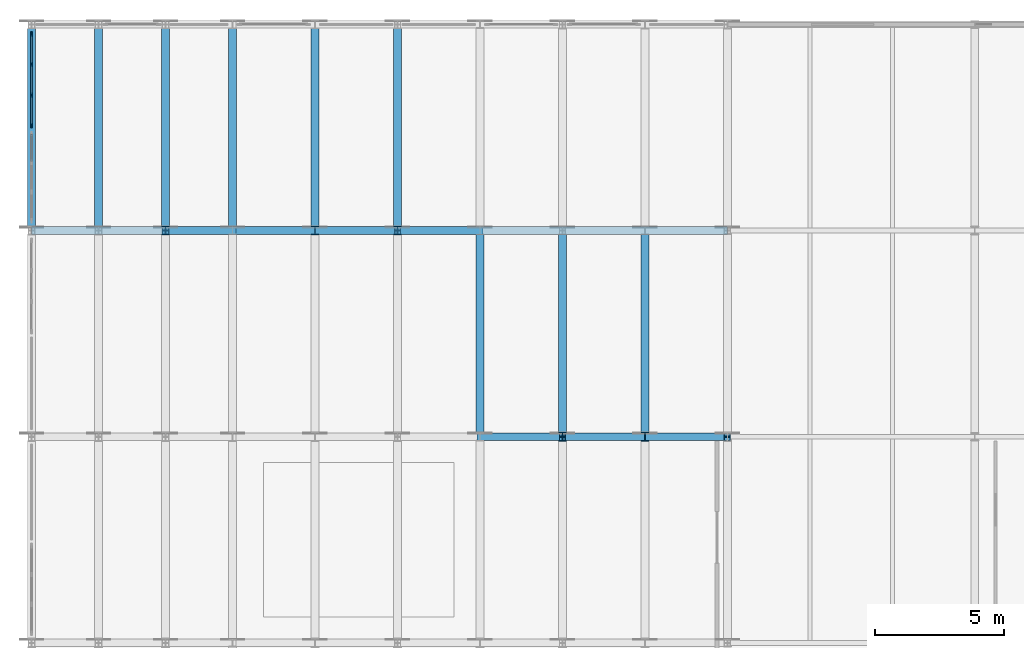
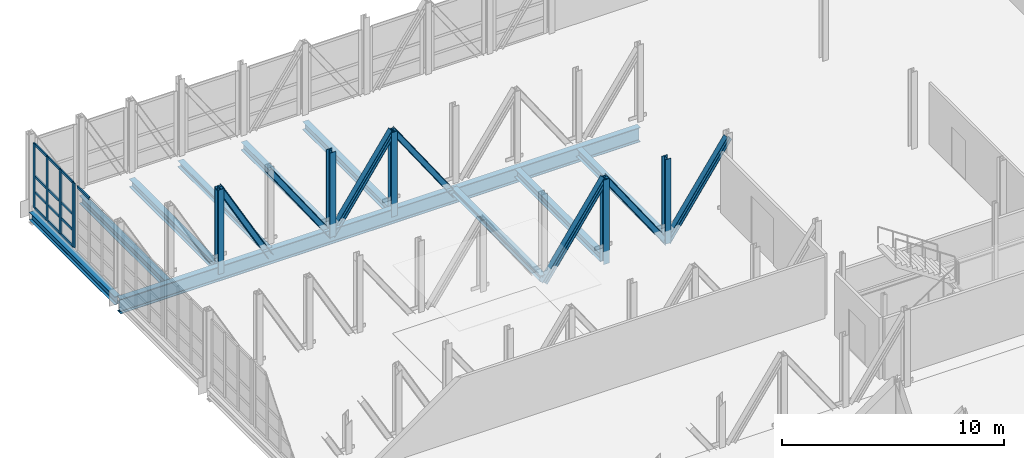
# One storey, part 40 of 73: 29 members, 10 beams, 2 elements without a shape of their own.
"""IFC4 building model written with IfcOpenShell, lengths in metres."""

from ifc_helpers import new_model, si_unit, direction, frame, origin, origin_2d, place, context, subcontext, project, spatial, rectangle, i_section, extrude, material, layer, layer_set, material_profile, profile_set, type_object, element, aggregate, save


model = new_model("IFC4")

# Units and contexts
model_context = context("Model", 3, precision=1e-05, world=origin(), true_north=direction((0.0, 1.0)))
body_context = subcontext(model_context, "Body", "Model", "MODEL_VIEW")
ifc_project = project(units=[si_unit("LENGTHUNIT", "METRE"), si_unit("AREAUNIT", "SQUARE_METRE"), si_unit("VOLUMEUNIT", "CUBIC_METRE"), si_unit("PLANEANGLEUNIT", "RADIAN"), si_unit("MASSUNIT", "GRAM", prefix="KILO")], contexts=[model_context])

# Site, building, storey
site_placement = place(None, origin())
site = spatial("IfcSite", under=ifc_project, at=site_placement, CompositionType="ELEMENT")
building_placement = place(site_placement, origin())
building = spatial("IfcBuilding", under=site, at=building_placement, Name="Alderhovde Museum", CompositionType="ELEMENT")
storey_placement = place(building_placement, frame((0.0, 0.0, 12.89990234375)))
storey = spatial("IfcBuildingStorey", under=building, at=storey_placement, Name="L03", CompositionType="ELEMENT", Elevation=12.89990234375)

# Beams
ifc_material_1 = material(Name="Steel S355J2", Category="steel")
ifc_material_profile_1 = material_profile(ifc_material_1, i_section(OverallWidth=0.300048828125, OverallDepth=0.330078125, WebThickness=0.009521484375, FlangeThickness=0.0166015625, FilletRadius=0.027099609375, at=origin_2d()), Name="HEA 340")
ifc_profile_set_1 = profile_set([ifc_material_profile_1], Name="Steel S355J2")
beam_type_1 = type_object("IfcBeamType", Name="BM-HEA340", PredefinedType="BEAM", material=ifc_profile_set_1)
for number, where, z_axis, x_axis, name in (
    (1, (9.60009765625, 104.0, -0.48486328125), (0.0, 1.0, 0.0), (-1.0, 0.0, 0.0), "L03 Grid Beam X=9.6 (104.0 TO 112.0)"),
    (2, (19.199951171875, 96.0, -0.48486328125), (0.0, 1.0, 0.0), (-1.0, 0.0, 0.0), "L03 Grid Beam X=19.2 (96.0 TO 104.0)"),
):
    element("IfcBeam", number, at=place(storey_placement, frame(where, z_axis=z_axis, x_axis=x_axis)), inside=storey, type_object=beam_type_1, Name=name, PredefinedType="BEAM", context=body_context, shape_type="SweptSolid", body=[
        extrude(i_section(OverallWidth=0.300048828125, OverallDepth=0.330078125, WebThickness=0.009521484375, FlangeThickness=0.0166015625, FilletRadius=0.027099609375, at=origin_2d()), origin(), (0.0, 0.0, 1.0), 8.0),
    ])
ifc_material_2 = material(Name="Steel S355J2", Category="steel")
ifc_material_profile_2 = material_profile(ifc_material_2, i_section(OverallWidth=0.300048828125, OverallDepth=0.43994140625, WebThickness=0.011474609375, FlangeThickness=0.02099609375, FilletRadius=0.027099609375, at=origin_2d()), Name="HEA 450")
ifc_profile_set_2 = profile_set([ifc_material_profile_2], Name="Steel S355J2")
beam_type_2 = type_object("IfcBeamType", Name="BM-HEA450", PredefinedType="BEAM", material=ifc_profile_set_2)
for number, where, z_axis, x_axis, name in (
    (3, (1.800048828125, 104.14990234375, -0.539794921875), (0.0, 1.0, 0.0), (-1.0, 0.0, 0.0), "L03 Transfer Transverse Beam X=1.8"),
    (4, (4.39990234375, 104.14990234375, -0.539794921875), (0.0, 1.0, 0.0), (-1.0, 0.0, 0.0), "L03 Transfer Transverse Beam X=4.4"),
    (5, (7.0, 104.14990234375, -0.539794921875), (0.0, 1.0, 0.0), (-1.0, 0.0, 0.0), "L03 Transfer Transverse Beam X=7.0"),
    (6, (12.800048828125, 104.14990234375, -0.539794921875), (0.0, 1.0, 0.0), (-1.0, 0.0, 0.0), "L03 Transfer Transverse Beam X=12.8"),
    (7, (16.0, 104.14990234375, -0.539794921875), (0.0, 1.0, 0.0), (-1.0, 0.0, 0.0), "L03 Transfer Transverse Beam X=16.0"),
    (8, (22.39990234375, 96.14990234375, -0.539794921875), (0.0, 1.0, 0.0), (-1.0, 0.0, 0.0), "L03 Transfer Transverse Beam X=22.4"),
    (9, (25.60009765625, 96.14990234375, -0.539794921875), (0.0, 1.0, 0.0), (-1.0, 0.0, 0.0), "L03 Transfer Transverse Beam X=25.6"),
):
    element("IfcBeam", number, at=place(storey_placement, frame(where, z_axis=z_axis, x_axis=x_axis)), inside=storey, type_object=beam_type_2, Name=name, PredefinedType="BEAM", context=body_context, shape_type="SweptSolid", body=[
        extrude(i_section(OverallWidth=0.300048828125, OverallDepth=0.43994140625, WebThickness=0.011474609375, FlangeThickness=0.02099609375, FilletRadius=0.027099609375, at=origin_2d()), origin(), (0.0, 0.0, 1.0), 7.7001953125),
    ])
ifc_material_3 = material(Name="Steel S355J2", Category="steel")
ifc_material_profile_3 = material_profile(ifc_material_3, i_section(OverallWidth=0.300048828125, OverallDepth=0.800048828125, WebThickness=0.017578125, FlangeThickness=0.032958984375, FilletRadius=0.030029296875, at=origin_2d()), Name="HEB 800")
ifc_profile_set_3 = profile_set([ifc_material_profile_3], Name="Steel S355J2")
beam_type_3 = type_object("IfcBeamType", Name="BM-HEB800", PredefinedType="BEAM", material=ifc_profile_set_3)
beam_placement = place(storey_placement, frame((1.800048828125, 104.0, -0.719970703125), z_axis=(1.0, 0.0, 0.0), x_axis=(0.0, 1.0, 0.0)))
element("IfcBeam", 10, at=beam_placement, inside=storey, type_object=beam_type_3, Name="Transfer Truss Y=104 BOT Continuous Chord", PredefinedType="BEAM", context=body_context, shape_type="SweptSolid", body=[
    extrude(i_section(OverallWidth=0.300048828125, OverallDepth=0.800048828125, WebThickness=0.017578125, FlangeThickness=0.032958984375, FilletRadius=0.030029296875, at=origin_2d()), origin(), (0.0, 0.0, 1.0), 27.0),
])

# Curtain wall, members
ifc_material_4 = material(Name="Triple-Glazed Bronze-Anodised Curtain Wall", Category="glass")
ifc_layer_1 = layer(ifc_material_4, 0.179931640625)
ifc_layer_set_1 = layer_set([ifc_layer_1], Name="Triple-Glazed Bronze-Anodised Curtain Wall")
curtain_wall_type_1 = type_object("IfcCurtainWallType", Name="CW-UNIT-360x354", PredefinedType="USERDEFINED", material=ifc_layer_set_1)
curtain_wall_1_placement = place(storey_placement, origin())
curtain_wall_1 = element("IfcCurtainWall", 11, at=curtain_wall_1_placement, inside=storey, type_object=curtain_wall_type_1, Name="L03 Unitised Curtain Wall 98", ObjectType="UNITISED CURTAIN WALL", PredefinedType="USERDEFINED")
ifc_material_5 = material(Name="Bronze-Anodised Aluminium EN AW-6063-T6", Category="aluminium")
ifc_material_profile_4 = material_profile(ifc_material_5, rectangle(XDim=0.06494140625, YDim=0.179931640625, at=origin_2d()), Name="MULLION 65x180")
ifc_profile_set_4 = profile_set([ifc_material_profile_4], Name="Bronze-Anodised Aluminium EN AW-6063-T6")
member_type_1 = type_object("IfcMemberType", Name="CWM-65x180", PredefinedType="MULLION", material=ifc_profile_set_4)
member_1_placement = place(storey_placement, frame((1.800048828125, 108.08251953125, 0.0), z_axis=(0.0, 0.0, 1.0), x_axis=(-1.0, 0.0, 0.0)))
member_1 = element("IfcMember", 12, at=member_1_placement, type_object=member_type_1, Name="CW20 mullion 1", PredefinedType="MULLION", context=body_context, shape_type="SweptSolid", body=[
    extrude(rectangle(XDim=0.06494140625, YDim=0.179931640625, at=origin_2d()), origin(), (0.0, 0.0, 1.0), 3.5400390625),
])
member_2_placement = place(storey_placement, frame((1.800048828125, 109.25, 0.0), z_axis=(0.0, 0.0, 1.0), x_axis=(-1.0, 0.0, 0.0)))
member_2 = element("IfcMember", 13, at=member_2_placement, type_object=member_type_1, Name="CW20 mullion 2", PredefinedType="MULLION", context=body_context, shape_type="SweptSolid", body=[
    extrude(rectangle(XDim=0.06494140625, YDim=0.179931640625, at=origin_2d()), origin(), (0.0, 0.0, 1.0), 3.5400390625),
])
member_3_placement = place(storey_placement, frame((1.800048828125, 110.449951171875, 0.0), z_axis=(0.0, 0.0, 1.0), x_axis=(-1.0, 0.0, 0.0)))
member_3 = element("IfcMember", 14, at=member_3_placement, type_object=member_type_1, Name="CW20 mullion 3", PredefinedType="MULLION", context=body_context, shape_type="SweptSolid", body=[
    extrude(rectangle(XDim=0.06494140625, YDim=0.179931640625, at=origin_2d()), origin(), (0.0, 0.0, 1.0), 3.5400390625),
])
member_4_placement = place(storey_placement, frame((1.800048828125, 111.617431640625, 0.0), z_axis=(0.0, 0.0, 1.0), x_axis=(-1.0, 0.0, 0.0)))
member_4 = element("IfcMember", 15, at=member_4_placement, type_object=member_type_1, Name="CW20 mullion 4", PredefinedType="MULLION", context=body_context, shape_type="SweptSolid", body=[
    extrude(rectangle(XDim=0.06494140625, YDim=0.179931640625, at=origin_2d()), origin(), (0.0, 0.0, 1.0), 3.5400390625),
])

# Curtain wall, member
ifc_material_6 = material(Name="Triple-Glazed Bronze-Anodised Curtain Wall", Category="glass")
ifc_layer_2 = layer(ifc_material_6, 0.179931640625)
ifc_layer_set_2 = layer_set([ifc_layer_2], Name="Triple-Glazed Bronze-Anodised Curtain Wall")
curtain_wall_type_2 = type_object("IfcCurtainWallType", Name="CW-UNIT-345x354", PredefinedType="USERDEFINED", material=ifc_layer_set_2)
curtain_wall_2_placement = place(storey_placement, origin())
curtain_wall_2 = element("IfcCurtainWall", 16, at=curtain_wall_2_placement, inside=storey, type_object=curtain_wall_type_2, Name="L03 Unitised Curtain Wall 97", ObjectType="UNITISED CURTAIN WALL", PredefinedType="USERDEFINED")
ifc_material_7 = material(Name="Bronze-Anodised Aluminium EN AW-6063-T6", Category="aluminium")
ifc_material_profile_5 = material_profile(ifc_material_7, rectangle(XDim=0.06494140625, YDim=0.139892578125, at=origin_2d()), Name="TRANSOM 65x140")
ifc_profile_set_5 = profile_set([ifc_material_profile_5], Name="Bronze-Anodised Aluminium EN AW-6063-T6")
member_type_2 = type_object("IfcMemberType", Name="CWT-65x140", PredefinedType="USERDEFINED", material=ifc_profile_set_5)
member_5_placement = place(storey_placement, frame((1.800048828125, 106.6826171875, 3.507568359375), z_axis=(0.0, 1.0, 0.0), x_axis=(-1.0, 0.0, 0.0)))
member_5 = element("IfcMember", 17, at=member_5_placement, type_object=member_type_2, Name="CW24 transom 3.4", ObjectType="TRANSOM", PredefinedType="USERDEFINED", context=body_context, shape_type="SweptSolid", body=[
    extrude(rectangle(XDim=0.06494140625, YDim=0.139892578125, at=origin_2d()), origin(), (0.0, 0.0, 1.0), 1.052490234375),
])
aggregate(curtain_wall_2, [member_5])

# Member
member_6_placement = place(storey_placement, frame((1.800048828125, 108.114990234375, 0.03271484375), z_axis=(0.0, 1.0, 0.0), x_axis=(-1.0, 0.0, 0.0)))
member_6 = element("IfcMember", 18, at=member_6_placement, type_object=member_type_2, Name="CW20 transom 1.1", ObjectType="TRANSOM", PredefinedType="USERDEFINED", context=body_context, shape_type="SweptSolid", body=[
    extrude(rectangle(XDim=0.06494140625, YDim=0.139892578125, at=origin_2d()), origin(), (0.0, 0.0, 1.0), 1.1025390625),
])

member_7_placement = place(storey_placement, frame((1.800048828125, 108.114990234375, 0.900146484375), z_axis=(0.0, 1.0, 0.0), x_axis=(-1.0, 0.0, 0.0)))
member_7 = element("IfcMember", 19, at=member_7_placement, type_object=member_type_2, Name="CW20 transom 1.2", ObjectType="TRANSOM", PredefinedType="USERDEFINED", context=body_context, shape_type="SweptSolid", body=[
    extrude(rectangle(XDim=0.06494140625, YDim=0.139892578125, at=origin_2d()), origin(), (0.0, 0.0, 1.0), 1.1025390625),
])

member_8_placement = place(storey_placement, frame((1.800048828125, 108.114990234375, 1.77001953125), z_axis=(0.0, 1.0, 0.0), x_axis=(-1.0, 0.0, 0.0)))
member_8 = element("IfcMember", 20, at=member_8_placement, type_object=member_type_2, Name="CW20 transom 1.3", ObjectType="TRANSOM", PredefinedType="USERDEFINED", context=body_context, shape_type="SweptSolid", body=[
    extrude(rectangle(XDim=0.06494140625, YDim=0.139892578125, at=origin_2d()), origin(), (0.0, 0.0, 1.0), 1.1025390625),
])

member_9_placement = place(storey_placement, frame((1.800048828125, 108.114990234375, 3.507568359375), z_axis=(0.0, 1.0, 0.0), x_axis=(-1.0, 0.0, 0.0)))
member_9 = element("IfcMember", 21, at=member_9_placement, type_object=member_type_2, Name="CW20 transom 1.4", ObjectType="TRANSOM", PredefinedType="USERDEFINED", context=body_context, shape_type="SweptSolid", body=[
    extrude(rectangle(XDim=0.06494140625, YDim=0.139892578125, at=origin_2d()), origin(), (0.0, 0.0, 1.0), 1.1025390625),
])

member_10_placement = place(storey_placement, frame((1.800048828125, 109.282470703125, 0.03271484375), z_axis=(0.0, 1.0, 0.0), x_axis=(-1.0, 0.0, 0.0)))
member_10 = element("IfcMember", 22, at=member_10_placement, type_object=member_type_2, Name="CW20 transom 2.1", ObjectType="TRANSOM", PredefinedType="USERDEFINED", context=body_context, shape_type="SweptSolid", body=[
    extrude(rectangle(XDim=0.06494140625, YDim=0.139892578125, at=origin_2d()), origin(), (0.0, 0.0, 1.0), 1.135009765625),
])

member_11_placement = place(storey_placement, frame((1.800048828125, 109.282470703125, 0.900146484375), z_axis=(0.0, 1.0, 0.0), x_axis=(-1.0, 0.0, 0.0)))
member_11 = element("IfcMember", 23, at=member_11_placement, type_object=member_type_2, Name="CW20 transom 2.2", ObjectType="TRANSOM", PredefinedType="USERDEFINED", context=body_context, shape_type="SweptSolid", body=[
    extrude(rectangle(XDim=0.06494140625, YDim=0.139892578125, at=origin_2d()), origin(), (0.0, 0.0, 1.0), 1.135009765625),
])

member_12_placement = place(storey_placement, frame((1.800048828125, 109.282470703125, 1.77001953125), z_axis=(0.0, 1.0, 0.0), x_axis=(-1.0, 0.0, 0.0)))
member_12 = element("IfcMember", 24, at=member_12_placement, type_object=member_type_2, Name="CW20 transom 2.3", ObjectType="TRANSOM", PredefinedType="USERDEFINED", context=body_context, shape_type="SweptSolid", body=[
    extrude(rectangle(XDim=0.06494140625, YDim=0.139892578125, at=origin_2d()), origin(), (0.0, 0.0, 1.0), 1.135009765625),
])

member_13_placement = place(storey_placement, frame((1.800048828125, 109.282470703125, 3.507568359375), z_axis=(0.0, 1.0, 0.0), x_axis=(-1.0, 0.0, 0.0)))
member_13 = element("IfcMember", 25, at=member_13_placement, type_object=member_type_2, Name="CW20 transom 2.4", ObjectType="TRANSOM", PredefinedType="USERDEFINED", context=body_context, shape_type="SweptSolid", body=[
    extrude(rectangle(XDim=0.06494140625, YDim=0.139892578125, at=origin_2d()), origin(), (0.0, 0.0, 1.0), 1.135009765625),
])

member_14_placement = place(storey_placement, frame((1.800048828125, 110.482421875, 0.03271484375), z_axis=(0.0, 1.0, 0.0), x_axis=(-1.0, 0.0, 0.0)))
member_14 = element("IfcMember", 26, at=member_14_placement, type_object=member_type_2, Name="CW20 transom 3.1", ObjectType="TRANSOM", PredefinedType="USERDEFINED", context=body_context, shape_type="SweptSolid", body=[
    extrude(rectangle(XDim=0.06494140625, YDim=0.139892578125, at=origin_2d()), origin(), (0.0, 0.0, 1.0), 1.1025390625),
])

member_15_placement = place(storey_placement, frame((1.800048828125, 110.482421875, 0.900146484375), z_axis=(0.0, 1.0, 0.0), x_axis=(-1.0, 0.0, 0.0)))
member_15 = element("IfcMember", 27, at=member_15_placement, type_object=member_type_2, Name="CW20 transom 3.2", ObjectType="TRANSOM", PredefinedType="USERDEFINED", context=body_context, shape_type="SweptSolid", body=[
    extrude(rectangle(XDim=0.06494140625, YDim=0.139892578125, at=origin_2d()), origin(), (0.0, 0.0, 1.0), 1.1025390625),
])

member_16_placement = place(storey_placement, frame((1.800048828125, 110.482421875, 1.77001953125), z_axis=(0.0, 1.0, 0.0), x_axis=(-1.0, 0.0, 0.0)))
member_16 = element("IfcMember", 28, at=member_16_placement, type_object=member_type_2, Name="CW20 transom 3.3", ObjectType="TRANSOM", PredefinedType="USERDEFINED", context=body_context, shape_type="SweptSolid", body=[
    extrude(rectangle(XDim=0.06494140625, YDim=0.139892578125, at=origin_2d()), origin(), (0.0, 0.0, 1.0), 1.1025390625),
])

member_17_placement = place(storey_placement, frame((1.800048828125, 110.482421875, 3.507568359375), z_axis=(0.0, 1.0, 0.0), x_axis=(-1.0, 0.0, 0.0)))
member_17 = element("IfcMember", 29, at=member_17_placement, type_object=member_type_2, Name="CW20 transom 3.4", ObjectType="TRANSOM", PredefinedType="USERDEFINED", context=body_context, shape_type="SweptSolid", body=[
    extrude(rectangle(XDim=0.06494140625, YDim=0.139892578125, at=origin_2d()), origin(), (0.0, 0.0, 1.0), 1.1025390625),
])

aggregate(curtain_wall_1, [member_1, member_2, member_3, member_4, member_6, member_7, member_8, member_9, member_10, member_11, member_12, member_13, member_14, member_15, member_16, member_17])

# Members
ifc_material_8 = material(Name="Steel S355J2", Category="steel")
ifc_material_profile_6 = material_profile(ifc_material_8, i_section(OverallWidth=0.300048828125, OverallDepth=0.300048828125, WebThickness=0.010986328125, FlangeThickness=0.01904296875, FilletRadius=0.027099609375, at=origin_2d()), Name="HEB 300")
ifc_profile_set_6 = profile_set([ifc_material_profile_6], Name="Steel S355J2")
member_type_3 = type_object("IfcMemberType", Name="TR-DG-HEB300", PredefinedType="STRUT", material=ifc_profile_set_6)
member_18_placement = place(storey_placement, frame((19.199951171875, 96.0, -0.719970703125), z_axis=(0.567715748774, 0.0, 0.823224652567), x_axis=(0.0, 1.0, 0.0)))
element("IfcMember", 30, at=member_18_placement, inside=storey, type_object=member_type_3, Name="Transfer Truss Y=96 T1 Diagonal 7", PredefinedType="STRUT", context=body_context, shape_type="SweptSolid", body=[
    extrude(i_section(OverallWidth=0.300048828125, OverallDepth=0.300048828125, WebThickness=0.010986328125, FlangeThickness=0.01904296875, FilletRadius=0.027099609375, at=origin_2d()), origin(), (0.0, 0.0, 1.0), 5.636474609375),
])
member_19_placement = place(storey_placement, frame((22.39990234375, 96.0, 3.920166015625), z_axis=(0.567745101494, 0.0, -0.823204409445), x_axis=(0.0, 1.0, 0.0)))
element("IfcMember", 31, at=member_19_placement, inside=storey, type_object=member_type_3, Name="Transfer Truss Y=96 T1 Diagonal 8", PredefinedType="STRUT", context=body_context, shape_type="SweptSolid", body=[
    extrude(i_section(OverallWidth=0.300048828125, OverallDepth=0.300048828125, WebThickness=0.010986328125, FlangeThickness=0.01904296875, FilletRadius=0.027099609375, at=origin_2d()), origin(), (0.0, 0.0, 1.0), 5.63671875),
])
member_20_placement = place(storey_placement, frame((25.60009765625, 96.0, -0.719970703125), z_axis=(0.567715748774, 0.0, 0.823224652567), x_axis=(0.0, 1.0, 0.0)))
element("IfcMember", 32, at=member_20_placement, inside=storey, type_object=member_type_3, Name="Transfer Truss Y=96 T1 Diagonal 9", PredefinedType="STRUT", context=body_context, shape_type="SweptSolid", body=[
    extrude(i_section(OverallWidth=0.300048828125, OverallDepth=0.300048828125, WebThickness=0.010986328125, FlangeThickness=0.01904296875, FilletRadius=0.027099609375, at=origin_2d()), origin(), (0.0, 0.0, 1.0), 5.636474609375),
])
member_21_placement = place(storey_placement, frame((7.0, 104.0, 3.920166015625), z_axis=(0.488835367665, 0.0, -0.872376056136), x_axis=(0.0, 1.0, 0.0)))
element("IfcMember", 33, at=member_21_placement, inside=storey, type_object=member_type_3, Name="Transfer Truss Y=104 T1 Diagonal 3", PredefinedType="STRUT", context=body_context, shape_type="SweptSolid", body=[
    extrude(i_section(OverallWidth=0.300048828125, OverallDepth=0.300048828125, WebThickness=0.010986328125, FlangeThickness=0.01904296875, FilletRadius=0.027099609375, at=origin_2d()), origin(), (0.0, 0.0, 1.0), 5.31884765625),
])
for number, where, z_axis, x_axis, name in (
    (34, (9.60009765625, 104.0, 3.920166015625), (0.567715748774, 0.0, -0.823224652567), (0.0, 1.0, 0.0), "Transfer Truss Y=104 T1 Diagonal 4"),
    (35, (12.800048828125, 104.0, -0.719970703125), (0.567715748774, 0.0, 0.823224652567), (0.0, 1.0, 0.0), "Transfer Truss Y=104 T1 Diagonal 5"),
    (36, (16.0, 104.0, 3.920166015625), (0.567715748774, 0.0, -0.823224652567), (0.0, 1.0, 0.0), "Transfer Truss Y=104 T1 Diagonal 6"),
):
    element("IfcMember", number, at=place(storey_placement, frame(where, z_axis=z_axis, x_axis=x_axis)), inside=storey, type_object=member_type_3, Name=name, PredefinedType="STRUT", context=body_context, shape_type="SweptSolid", body=[
        extrude(i_section(OverallWidth=0.300048828125, OverallDepth=0.300048828125, WebThickness=0.010986328125, FlangeThickness=0.01904296875, FilletRadius=0.027099609375, at=origin_2d()), origin(), (0.0, 0.0, 1.0), 5.636474609375),
    ])
ifc_material_9 = material(Name="Steel S355J2", Category="steel")
ifc_material_profile_7 = material_profile(ifc_material_9, i_section(OverallWidth=0.300048828125, OverallDepth=0.340087890625, WebThickness=0.011962890625, FlangeThickness=0.021484375, FilletRadius=0.027099609375, at=origin_2d()), Name="HEB 340")
ifc_profile_set_7 = profile_set([ifc_material_profile_7], Name="Steel S355J2")
member_type_4 = type_object("IfcMemberType", Name="TR-PS-HEB340", PredefinedType="POST", material=ifc_profile_set_7)
for number, where, z_axis, x_axis, name in (
    (37, (22.39990234375, 96.0, -0.719970703125), (0.0, 0.0, 1.0), (1.0, 0.0, 0.0), "Transfer Truss Y=96 T1 Post 8"),
    (38, (25.60009765625, 96.0, -0.719970703125), (0.0, 0.0, 1.0), (1.0, 0.0, 0.0), "Transfer Truss Y=96 T1 Post 9"),
    (39, (7.0, 104.0, -0.719970703125), (0.0, 0.0, 1.0), (1.0, 0.0, 0.0), "Transfer Truss Y=104 T1 Post 3"),
    (40, (12.800048828125, 104.0, -0.719970703125), (0.0, 0.0, 1.0), (1.0, 0.0, 0.0), "Transfer Truss Y=104 T1 Post 5"),
    (41, (16.0, 104.0, -0.719970703125), (0.0, 0.0, 1.0), (1.0, 0.0, 0.0), "Transfer Truss Y=104 T1 Post 6"),
):
    element("IfcMember", number, at=place(storey_placement, frame(where, z_axis=z_axis, x_axis=x_axis)), inside=storey, type_object=member_type_4, Name=name, PredefinedType="POST", context=body_context, shape_type="SweptSolid", body=[
        extrude(i_section(OverallWidth=0.300048828125, OverallDepth=0.340087890625, WebThickness=0.011962890625, FlangeThickness=0.021484375, FilletRadius=0.027099609375, at=origin_2d()), origin(), (0.0, 0.0, 1.0), 4.64013671875),
    ])

save(model, "model.ifc")
